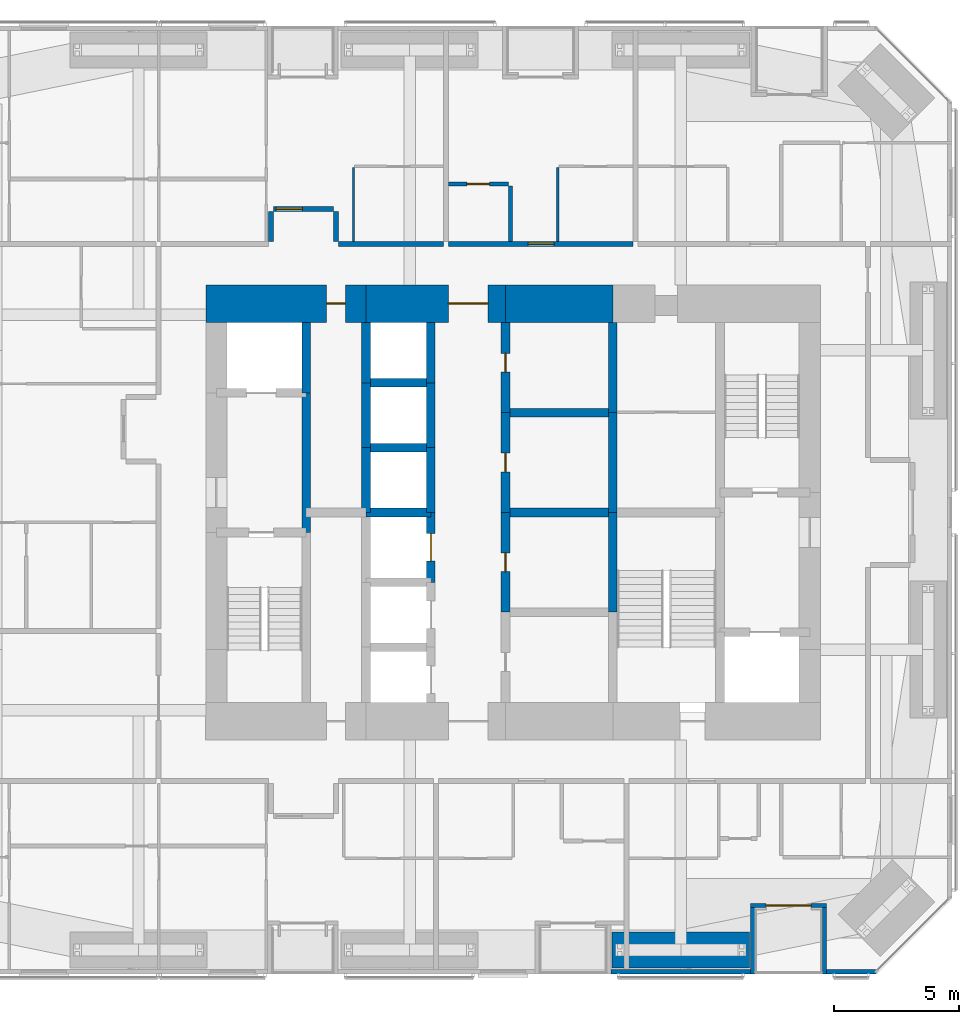
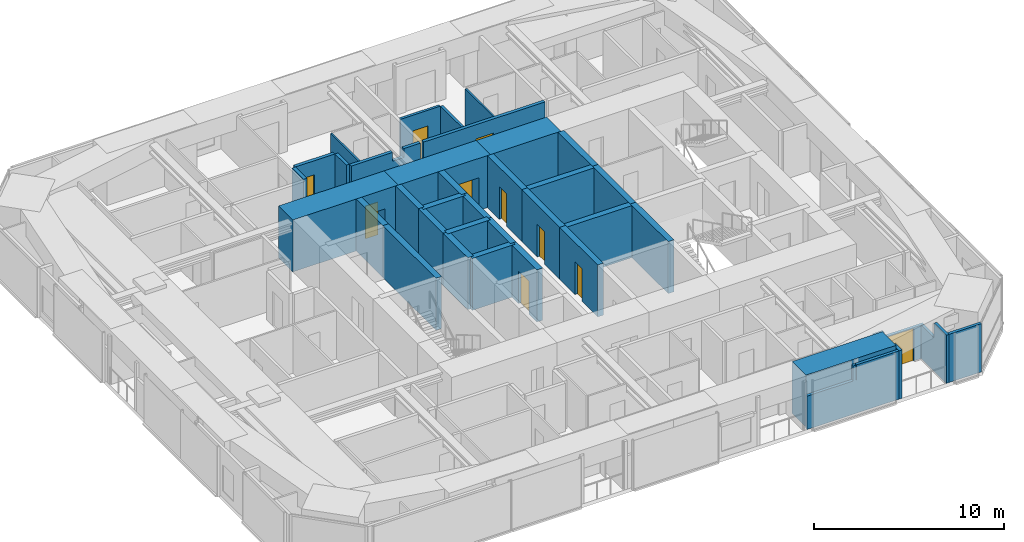
# One storey, part 20 of 25: 39 walls, 10 doors, 10 openings.
"""IFC4 building model written with IfcOpenShell, lengths in metres."""

from ifc_helpers import new_model, si_unit, direction, frame, frame_2d, origin, place, context, subcontext, project, spatial, polyline, rectangle, outline, extrude, material, layer, layer_set, constituent, constituent_set, type_object, element, fill, save


model = new_model("IFC4")

# Units and contexts
model_context = context("Model", 3, precision=1e-05, world=origin(), true_north=direction((0.0, 1.0)))
body_context = subcontext(model_context, "Body", "Model", "MODEL_VIEW")
ifc_project = project(units=[si_unit("LENGTHUNIT", "METRE"), si_unit("AREAUNIT", "SQUARE_METRE"), si_unit("VOLUMEUNIT", "CUBIC_METRE"), si_unit("PLANEANGLEUNIT", "RADIAN"), si_unit("MASSUNIT", "GRAM", prefix="KILO")], contexts=[model_context])

# Site, building, storey
site_placement = place(None, origin())
site = spatial("IfcSite", under=ifc_project, at=site_placement, CompositionType="ELEMENT")
building_placement = place(site_placement, origin())
building = spatial("IfcBuilding", under=site, at=building_placement, Name="Jalousie Tower", CompositionType="ELEMENT")
storey_placement = place(building_placement, frame((0.0, 0.0, 98.14990234375)))
storey = spatial("IfcBuildingStorey", under=building, at=storey_placement, Name="L26", CompositionType="ELEMENT", Elevation=98.14990234375)

# Wall, opening, door
ifc_material_1 = material(Name="Concrete block ASTM C90", Category="concrete")
ifc_constituent_1 = constituent(ifc_material_1, Name="Body")
ifc_material_2 = material(Name="Render")
ifc_constituent_2 = constituent(ifc_material_2, Name="Finish")
ifc_constituent_set_1 = constituent_set(constituents=[ifc_constituent_1, ifc_constituent_2])
wall_type_1 = type_object("IfcWallType", Name="BATHROOM WALL 150", PredefinedType="PLUMBINGWALL", material=ifc_constituent_set_1)
wall_1_placement = place(storey_placement, frame((29.300048828125, 31.675048828125, 0.0), z_axis=(0.0, 0.0, 1.0), x_axis=(1.0, 0.0, 0.0)))
wall_1 = element("IfcWall", 1, at=wall_1_placement, inside=storey, type_object=wall_type_1, Name="Bathroom Wall 150 L26", PredefinedType="PLUMBINGWALL", context=body_context, shape_type="SweptSolid", body=[
    extrude(rectangle(XDim=2.425048828125, YDim=0.14990234375, at=frame_2d((1.21240234375, 0.0))), origin(), (0.0, 0.0, 1.0), 3.110107421875),
])
opening_1_placement = place(wall_1_placement, frame((0.75, 0.0, 0.0)))
opening_1 = element("IfcOpeningElement", 2, at=opening_1_placement, cuts=wall_1, Name="Opening D3", PredefinedType="OPENING", context=body_context, shape_type="SweptSolid", body=[
    extrude(rectangle(XDim=0.89990234375, YDim=2.10009765625, at=frame_2d((0.449951171875, 1.050048828125))), frame((0.0, 0.0849609375, 0.0), z_axis=(0.0, -1.0, 0.0), x_axis=(1.0, 0.0, 0.0)), (0.0, 0.0, 1.0), 0.169921875),
])
ifc_material_3 = material(Name="Timber door", Category="wood")
door_type_1 = type_object("IfcDoorType", Name="BATHROOM DOOR 900", OperationType="SINGLE_SWING_LEFT", PredefinedType="DOOR", material=ifc_material_3)
door_1_placement = place(opening_1_placement, frame((0.89990234375, 0.0, 0.0), z_axis=(0.0, 0.0, 1.0), x_axis=(-1.0, 0.0, 0.0)))
door_1 = element("IfcDoor", 3, at=door_1_placement, inside=storey, type_object=door_type_1, Name="Apartment 2605 bathroom door", OperationType="SINGLE_SWING_RIGHT", OverallHeight=2.10009765625, OverallWidth=0.89990234375, PredefinedType="DOOR", context=body_context, shape_type="SweptSolid", body=[
    extrude(rectangle(XDim=0.89990234375, YDim=2.10009765625, at=frame_2d((0.449951171875, 1.050048828125))), frame((0.0, 0.02490234375, 0.0), z_axis=(0.0, -1.0, 0.0), x_axis=(1.0, 0.0, 0.0)), (0.0, 0.0, 1.0), 0.050048828125),
])
fill(opening_1, door_1)

# Walls
wall_2_placement = place(storey_placement, frame((31.800048828125, 31.60009765625, 0.0), z_axis=(0.0, 0.0, 1.0), x_axis=(0.0, -1.0, 0.0)))
element("IfcWall", 4, at=wall_2_placement, inside=storey, type_object=wall_type_1, Name="Bathroom Wall 150 L26", PredefinedType="PLUMBINGWALL", context=body_context, shape_type="SweptSolid", body=[
    extrude(rectangle(XDim=2.22509765625, YDim=0.14990234375, at=frame_2d((1.112548828125, 0.0))), origin(), (0.0, 0.0, 1.0), 3.110107421875),
])
ifc_material_4 = material(Name="Concrete f'c 120 MPa", Category="concrete")
ifc_layer_1 = layer(ifc_material_4, 1.5)
ifc_layer_set_1 = layer_set([ifc_layer_1], Name="Concrete f'c 120 MPa")
wall_type_2 = type_object("IfcWallType", Name="CORE WALL 1500", PredefinedType="SHEAR", material=ifc_layer_set_1)
wall_3_placement = place(storey_placement, frame((35.89990234375, 26.875, 0.0), z_axis=(0.0, 0.0, 1.0), x_axis=(-1.0, 0.0, 0.0)))
element("IfcWall", 5, at=wall_3_placement, inside=storey, type_object=wall_type_2, Name="Core wall NB L26", PredefinedType="SHEAR", context=body_context, shape_type="SweptSolid", body=[
    extrude(rectangle(XDim=4.2998046875, YDim=1.5, at=frame_2d((2.14990234375, 0.0))), origin(), (0.0, 0.0, 1.0), 3.35009765625),
])

# Wall, opening, door
wall_4_placement = place(storey_placement, frame((31.60009765625, 26.875, 0.0), z_axis=(0.0, 0.0, 1.0), x_axis=(-1.0, 0.0, 0.0)))
wall_4 = element("IfcWall", 6, at=wall_4_placement, inside=storey, type_object=wall_type_2, Name="Core wall NC L26", PredefinedType="SHEAR", context=body_context, shape_type="SweptSolid", body=[
    extrude(rectangle(XDim=5.60009765625, YDim=1.5, at=frame_2d((2.800048828125, 0.0))), origin(), (0.0, 0.0, 1.0), 3.35009765625),
])
opening_2_placement = place(wall_4_placement, frame((0.699951171875, 0.0, 0.0)))
opening_2 = element("IfcOpeningElement", 7, at=opening_2_placement, cuts=wall_4, Name="Opening D15", PredefinedType="OPENING", context=body_context, shape_type="SweptSolid", body=[
    extrude(rectangle(XDim=1.60009765625, YDim=2.10009765625, at=frame_2d((0.800048828125, 1.050048828125))), frame((0.0, 0.760009765625, 0.0), z_axis=(0.0, -1.0, 0.0), x_axis=(1.0, 0.0, 0.0)), (0.0, 0.0, 1.0), 1.52001953125),
])
ifc_material_5 = material(Name="Steel fire door", Category="steel")
door_type_2 = type_object("IfcDoorType", Name="LIFT LOBBY DOOR 1600", OperationType="DOUBLE_DOOR_SINGLE_SWING", PredefinedType="DOOR", material=ifc_material_5)
door_2_placement = place(opening_2_placement, origin())
door_2 = element("IfcDoor", 8, at=door_2_placement, inside=storey, type_object=door_type_2, Name="Lift lobby north door", OperationType="DOUBLE_DOOR_SINGLE_SWING", OverallHeight=2.10009765625, OverallWidth=1.60009765625, PredefinedType="DOOR", context=body_context, shape_type="SweptSolid", body=[
    extrude(rectangle(XDim=1.60009765625, YDim=2.10009765625, at=frame_2d((0.800048828125, 1.050048828125))), frame((0.0, 0.02490234375, 0.0), z_axis=(0.0, -1.0, 0.0), x_axis=(1.0, 0.0, 0.0)), (0.0, 0.0, 1.0), 0.050048828125),
])
fill(opening_2, door_2)

wall_5_placement = place(storey_placement, frame((26.0, 26.875, 0.0), z_axis=(0.0, 0.0, 1.0), x_axis=(-1.0, 0.0, 0.0)))
wall_5 = element("IfcWall", 9, at=wall_5_placement, inside=storey, type_object=wall_type_2, Name="Core wall ND L26", PredefinedType="SHEAR", context=body_context, shape_type="SweptSolid", body=[
    extrude(rectangle(XDim=6.425048828125, YDim=1.5, at=frame_2d((3.21240234375, 0.0))), origin(), (0.0, 0.0, 1.0), 3.35009765625),
])
opening_3_placement = place(wall_5_placement, frame((0.824951171875, 0.0, 0.0)))
opening_3 = element("IfcOpeningElement", 10, at=opening_3_placement, cuts=wall_5, Name="Opening D16", PredefinedType="OPENING", context=body_context, shape_type="SweptSolid", body=[
    extrude(rectangle(XDim=0.75, YDim=2.10009765625, at=frame_2d((0.375, 1.050048828125))), frame((0.0, 0.760009765625, 0.0), z_axis=(0.0, -1.0, 0.0), x_axis=(1.0, 0.0, 0.0)), (0.0, 0.0, 1.0), 1.52001953125),
])
ifc_material_6 = material(Name="Steel fire door", Category="steel")
door_type_3 = type_object("IfcDoorType", Name="RISER DOOR 750", OperationType="SINGLE_SWING_LEFT", PredefinedType="DOOR", material=ifc_material_6)
door_3_placement = place(opening_3_placement, origin())
door_3 = element("IfcDoor", 11, at=door_3_placement, inside=storey, type_object=door_type_3, Name="North riser door", OperationType="SINGLE_SWING_RIGHT", OverallHeight=2.10009765625, OverallWidth=0.75, PredefinedType="DOOR", context=body_context, shape_type="SweptSolid", body=[
    extrude(rectangle(XDim=0.75, YDim=2.10009765625, at=frame_2d((0.375, 1.050048828125))), frame((0.0, 0.02490234375, 0.0), z_axis=(0.0, -1.0, 0.0), x_axis=(1.0, 0.0, 0.0)), (0.0, 0.0, 1.0), 0.050048828125),
])
fill(opening_3, door_3)

# Walls
ifc_material_7 = material(Name="Concrete f'c 120 MPa", Category="concrete")
ifc_layer_2 = layer(ifc_material_7, 0.35009765625)
ifc_layer_set_2 = layer_set([ifc_layer_2], Name="Concrete f'c 120 MPa")
wall_type_3 = type_object("IfcWallType", Name="CORE WALL 350", PredefinedType="SHEAR", material=ifc_layer_set_2)
wall_6_placement = place(storey_placement, frame((23.60009765625, 17.699951171875, 0.0), z_axis=(0.0, 0.0, 1.0), x_axis=(0.0, 1.0, 0.0)))
element("IfcWall", 12, at=wall_6_placement, inside=storey, type_object=wall_type_3, Name="Core wall X23.6B L26", PredefinedType="SHEAR", context=body_context, shape_type="SweptSolid", body=[
    extrude(rectangle(XDim=5.60009765625, YDim=0.35009765625, at=frame_2d((2.800048828125, 0.0))), origin(), (0.0, 0.0, 1.0), 3.35009765625),
])
wall_7_placement = place(storey_placement, frame((23.60009765625, 23.300048828125, 0.0), z_axis=(0.0, 0.0, 1.0), x_axis=(0.0, 1.0, 0.0)))
element("IfcWall", 13, at=wall_7_placement, inside=storey, type_object=wall_type_3, Name="Core wall X23.6C L26", PredefinedType="SHEAR", context=body_context, shape_type="SweptSolid", body=[
    extrude(rectangle(XDim=2.824951171875, YDim=0.35009765625, at=frame_2d((1.41259765625, 0.0))), origin(), (0.0, 0.0, 1.0), 3.35009765625),
])
wall_8_placement = place(storey_placement, frame((26.0, 18.5, 0.0), z_axis=(0.0, 0.0, 1.0), x_axis=(0.0, 1.0, 0.0)))
element("IfcWall", 14, at=wall_8_placement, inside=storey, type_object=wall_type_3, Name="Core wall X26D L26", PredefinedType="SHEAR", context=body_context, shape_type="SweptSolid", body=[
    extrude(rectangle(XDim=2.60009765625, YDim=0.35009765625, at=frame_2d((1.300048828125, 0.0))), origin(), (0.0, 0.0, 1.0), 3.35009765625),
])
wall_9_placement = place(storey_placement, frame((26.0, 21.10009765625, 0.0), z_axis=(0.0, 0.0, 1.0), x_axis=(0.0, 1.0, 0.0)))
element("IfcWall", 15, at=wall_9_placement, inside=storey, type_object=wall_type_3, Name="Core wall X26E L26", PredefinedType="SHEAR", context=body_context, shape_type="SweptSolid", body=[
    extrude(rectangle(XDim=2.599853515625, YDim=0.35009765625, at=frame_2d((1.2998046875, 0.0))), origin(), (0.0, 0.0, 1.0), 3.35009765625),
])
wall_10_placement = place(storey_placement, frame((26.0, 23.699951171875, 0.0), z_axis=(0.0, 0.0, 1.0), x_axis=(0.0, 1.0, 0.0)))
element("IfcWall", 16, at=wall_10_placement, inside=storey, type_object=wall_type_3, Name="Core wall X26F L26", PredefinedType="SHEAR", context=body_context, shape_type="SweptSolid", body=[
    extrude(rectangle(XDim=2.425048828125, YDim=0.35009765625, at=frame_2d((1.21240234375, 0.0))), origin(), (0.0, 0.0, 1.0), 3.35009765625),
])

# Wall, opening, door
wall_11_placement = place(storey_placement, frame((28.60009765625, 15.699951171875, 0.0), z_axis=(0.0, 0.0, 1.0), x_axis=(0.0, 1.0, 0.0)))
wall_11 = element("IfcWall", 17, at=wall_11_placement, inside=storey, type_object=wall_type_3, Name="Core wall X28.6C L26", PredefinedType="SHEAR", context=body_context, shape_type="SweptSolid", body=[
    extrude(rectangle(XDim=2.800048828125, YDim=0.35009765625, at=frame_2d((1.39990234375, 0.0))), origin(), (0.0, 0.0, 1.0), 3.35009765625),
])
opening_4_placement = place(wall_11_placement, frame((0.85009765625, 0.0, 0.0)))
opening_4 = element("IfcOpeningElement", 18, at=opening_4_placement, cuts=wall_11, Name="Opening LD1", PredefinedType="OPENING", context=body_context, shape_type="SweptSolid", body=[
    extrude(rectangle(XDim=1.10009765625, YDim=2.10009765625, at=frame_2d((0.550048828125, 1.050048828125))), frame((0.0, 0.18505859375, 0.0), z_axis=(0.0, -1.0, 0.0), x_axis=(1.0, 0.0, 0.0)), (0.0, 0.0, 1.0), 0.3701171875),
])
ifc_material_8 = material(Name="Steel lift landing door", Category="steel")
door_type_4 = type_object("IfcDoorType", Name="LIFT LANDING DOOR 1100", OperationType="SLIDING_TO_LEFT", PredefinedType="DOOR", material=ifc_material_8)
door_4_placement = place(opening_4_placement, origin())
door_4 = element("IfcDoor", 19, at=door_4_placement, inside=storey, type_object=door_type_4, Name="Lift P3 landing door", OperationType="SLIDING_TO_LEFT", OverallHeight=2.10009765625, OverallWidth=1.10009765625, PredefinedType="DOOR", context=body_context, shape_type="SweptSolid", body=[
    extrude(rectangle(XDim=1.10009765625, YDim=2.10009765625, at=frame_2d((0.550048828125, 1.050048828125))), frame((0.0, 0.02490234375, 0.0), z_axis=(0.0, -1.0, 0.0), x_axis=(1.0, 0.0, 0.0)), (0.0, 0.0, 1.0), 0.050048828125),
])
fill(opening_4, door_4)

# Walls
wall_12_placement = place(storey_placement, frame((28.60009765625, 18.5, 0.0), z_axis=(0.0, 0.0, 1.0), x_axis=(0.0, 1.0, 0.0)))
element("IfcWall", 20, at=wall_12_placement, inside=storey, type_object=wall_type_3, Name="Core wall X28.6D L26", PredefinedType="SHEAR", context=body_context, shape_type="SweptSolid", body=[
    extrude(rectangle(XDim=2.60009765625, YDim=0.35009765625, at=frame_2d((1.300048828125, 0.0))), origin(), (0.0, 0.0, 1.0), 3.35009765625),
])
wall_13_placement = place(storey_placement, frame((28.60009765625, 21.10009765625, 0.0), z_axis=(0.0, 0.0, 1.0), x_axis=(0.0, 1.0, 0.0)))
element("IfcWall", 21, at=wall_13_placement, inside=storey, type_object=wall_type_3, Name="Core wall X28.6E L26", PredefinedType="SHEAR", context=body_context, shape_type="SweptSolid", body=[
    extrude(rectangle(XDim=2.599853515625, YDim=0.35009765625, at=frame_2d((1.2998046875, 0.0))), origin(), (0.0, 0.0, 1.0), 3.35009765625),
])
wall_14_placement = place(storey_placement, frame((28.60009765625, 23.699951171875, 0.0), z_axis=(0.0, 0.0, 1.0), x_axis=(0.0, 1.0, 0.0)))
element("IfcWall", 22, at=wall_14_placement, inside=storey, type_object=wall_type_3, Name="Core wall X28.6F L26", PredefinedType="SHEAR", context=body_context, shape_type="SweptSolid", body=[
    extrude(rectangle(XDim=2.425048828125, YDim=0.35009765625, at=frame_2d((1.21240234375, 0.0))), origin(), (0.0, 0.0, 1.0), 3.35009765625),
])

# Wall, opening, door
wall_15_placement = place(storey_placement, frame((31.60009765625, 14.5, 0.0), z_axis=(0.0, 0.0, 1.0), x_axis=(0.0, 1.0, 0.0)))
wall_15 = element("IfcWall", 23, at=wall_15_placement, inside=storey, type_object=wall_type_3, Name="Core wall X31.6B L26", PredefinedType="SHEAR", context=body_context, shape_type="SweptSolid", body=[
    extrude(rectangle(XDim=4.0, YDim=0.35009765625, at=frame_2d((2.0, 0.0))), origin(), (0.0, 0.0, 1.0), 3.35009765625),
])
opening_5_placement = place(wall_15_placement, frame((1.625, 0.0, 0.0)))
opening_5 = element("IfcOpeningElement", 24, at=opening_5_placement, cuts=wall_15, Name="Opening D16", PredefinedType="OPENING", context=body_context, shape_type="SweptSolid", body=[
    extrude(rectangle(XDim=0.75, YDim=2.10009765625, at=frame_2d((0.375, 1.050048828125))), frame((0.0, 0.18505859375, 0.0), z_axis=(0.0, -1.0, 0.0), x_axis=(1.0, 0.0, 0.0)), (0.0, 0.0, 1.0), 0.3701171875),
])
door_5_placement = place(opening_5_placement, frame((0.75, 0.0, 0.0), z_axis=(0.0, 0.0, 1.0), x_axis=(-1.0, 0.0, 0.0)))
door_5 = element("IfcDoor", 25, at=door_5_placement, inside=storey, type_object=door_type_3, Name="Electrical Room door", OperationType="SINGLE_SWING_RIGHT", OverallHeight=2.10009765625, OverallWidth=0.75, PredefinedType="DOOR", context=body_context, shape_type="SweptSolid", body=[
    extrude(rectangle(XDim=0.75, YDim=2.10009765625, at=frame_2d((0.375, 1.050048828125))), frame((0.0, 0.02490234375, 0.0), z_axis=(0.0, -1.0, 0.0), x_axis=(1.0, 0.0, 0.0)), (0.0, 0.0, 1.0), 0.050048828125),
])
fill(opening_5, door_5)

wall_16_placement = place(storey_placement, frame((31.60009765625, 18.5, 0.0), z_axis=(0.0, 0.0, 1.0), x_axis=(0.0, 1.0, 0.0)))
wall_16 = element("IfcWall", 26, at=wall_16_placement, inside=storey, type_object=wall_type_3, Name="Core wall X31.6C L26", PredefinedType="SHEAR", context=body_context, shape_type="SweptSolid", body=[
    extrude(rectangle(XDim=4.0, YDim=0.35009765625, at=frame_2d((2.0, 0.0))), origin(), (0.0, 0.0, 1.0), 3.35009765625),
])
opening_6_placement = place(wall_16_placement, frame((1.625, 0.0, 0.0)))
opening_6 = element("IfcOpeningElement", 27, at=opening_6_placement, cuts=wall_16, Name="Opening D16", PredefinedType="OPENING", context=body_context, shape_type="SweptSolid", body=[
    extrude(rectangle(XDim=0.75, YDim=2.10009765625, at=frame_2d((0.375, 1.050048828125))), frame((0.0, 0.18505859375, 0.0), z_axis=(0.0, -1.0, 0.0), x_axis=(1.0, 0.0, 0.0)), (0.0, 0.0, 1.0), 0.3701171875),
])
door_6_placement = place(opening_6_placement, frame((0.75, 0.0, 0.0), z_axis=(0.0, 0.0, 1.0), x_axis=(-1.0, 0.0, 0.0)))
door_6 = element("IfcDoor", 28, at=door_6_placement, inside=storey, type_object=door_type_3, Name="Telecom Room door", OperationType="SINGLE_SWING_RIGHT", OverallHeight=2.10009765625, OverallWidth=0.75, PredefinedType="DOOR", context=body_context, shape_type="SweptSolid", body=[
    extrude(rectangle(XDim=0.75, YDim=2.10009765625, at=frame_2d((0.375, 1.050048828125))), frame((0.0, 0.02490234375, 0.0), z_axis=(0.0, -1.0, 0.0), x_axis=(1.0, 0.0, 0.0)), (0.0, 0.0, 1.0), 0.050048828125),
])
fill(opening_6, door_6)

wall_17_placement = place(storey_placement, frame((31.60009765625, 22.5, 0.0), z_axis=(0.0, 0.0, 1.0), x_axis=(0.0, 1.0, 0.0)))
wall_17 = element("IfcWall", 29, at=wall_17_placement, inside=storey, type_object=wall_type_3, Name="Core wall X31.6D L26", PredefinedType="SHEAR", context=body_context, shape_type="SweptSolid", body=[
    extrude(rectangle(XDim=3.625, YDim=0.35009765625, at=frame_2d((1.8125, 0.0))), origin(), (0.0, 0.0, 1.0), 3.35009765625),
])
opening_7_placement = place(wall_17_placement, frame((1.625, 0.0, 0.0)))
opening_7 = element("IfcOpeningElement", 30, at=opening_7_placement, cuts=wall_17, Name="Opening D16", PredefinedType="OPENING", context=body_context, shape_type="SweptSolid", body=[
    extrude(rectangle(XDim=0.75, YDim=2.10009765625, at=frame_2d((0.375, 1.050048828125))), frame((0.0, 0.18505859375, 0.0), z_axis=(0.0, -1.0, 0.0), x_axis=(1.0, 0.0, 0.0)), (0.0, 0.0, 1.0), 0.3701171875),
])
door_7_placement = place(opening_7_placement, frame((0.75, 0.0, 0.0), z_axis=(0.0, 0.0, 1.0), x_axis=(-1.0, 0.0, 0.0)))
door_7 = element("IfcDoor", 31, at=door_7_placement, inside=storey, type_object=door_type_3, Name="Water Services Room door", OperationType="SINGLE_SWING_LEFT", OverallHeight=2.10009765625, OverallWidth=0.75, PredefinedType="DOOR", context=body_context, shape_type="SweptSolid", body=[
    extrude(rectangle(XDim=0.75, YDim=2.10009765625, at=frame_2d((0.375, 1.050048828125))), frame((0.0, 0.02490234375, 0.0), z_axis=(0.0, -1.0, 0.0), x_axis=(1.0, 0.0, 0.0)), (0.0, 0.0, 1.0), 0.050048828125),
])
fill(opening_7, door_7)

# Walls
for number, where, z_axis, x_axis, name in (
    (32, (35.89990234375, 14.5, 0.0), (0.0, 0.0, 1.0), (0.0, 1.0, 0.0), "Core wall X35.9B L26"),
    (33, (35.89990234375, 18.5, 0.0), (0.0, 0.0, 1.0), (0.0, 1.0, 0.0), "Core wall X35.9C L26"),
):
    element("IfcWall", number, at=place(storey_placement, frame(where, z_axis=z_axis, x_axis=x_axis)), inside=storey, type_object=wall_type_3, Name=name, PredefinedType="SHEAR", context=body_context, shape_type="SweptSolid", body=[
        extrude(rectangle(XDim=4.0, YDim=0.35009765625, at=frame_2d((2.0, 0.0))), origin(), (0.0, 0.0, 1.0), 3.35009765625),
    ])
wall_18_placement = place(storey_placement, frame((35.89990234375, 22.5, 0.0), z_axis=(0.0, 0.0, 1.0), x_axis=(0.0, 1.0, 0.0)))
element("IfcWall", 34, at=wall_18_placement, inside=storey, type_object=wall_type_3, Name="Core wall X35.9D L26", PredefinedType="SHEAR", context=body_context, shape_type="SweptSolid", body=[
    extrude(rectangle(XDim=3.625, YDim=0.35009765625, at=frame_2d((1.8125, 0.0))), origin(), (0.0, 0.0, 1.0), 3.35009765625),
])
for number, where, z_axis, x_axis, name in (
    (35, (26.0, 18.5, 0.0), (0.0, 0.0, 1.0), (1.0, 0.0, 0.0), "Core wall Y26-18.5 L26"),
    (36, (26.0, 21.10009765625, 0.0), (0.0, 0.0, 1.0), (1.0, 0.0, 0.0), "Core wall Y26-21.1 L26"),
    (37, (26.0, 23.699951171875, 0.0), (0.0, 0.0, 1.0), (1.0, 0.0, 0.0), "Core wall Y26-23.7 L26"),
):
    element("IfcWall", number, at=place(storey_placement, frame(where, z_axis=z_axis, x_axis=x_axis)), inside=storey, type_object=wall_type_3, Name=name, PredefinedType="SHEAR", context=body_context, shape_type="SweptSolid", body=[
        extrude(rectangle(XDim=2.60009765625, YDim=0.35009765625, at=frame_2d((1.300048828125, 0.0))), origin(), (0.0, 0.0, 1.0), 3.35009765625),
    ])
for number, where, z_axis, x_axis, name in (
    (38, (31.60009765625, 18.5, 0.0), (0.0, 0.0, 1.0), (1.0, 0.0, 0.0), "Core wall Y31.6-18.5 L26"),
    (39, (31.60009765625, 22.5, 0.0), (0.0, 0.0, 1.0), (1.0, 0.0, 0.0), "Core wall Y31.6-22.5 L26"),
):
    element("IfcWall", number, at=place(storey_placement, frame(where, z_axis=z_axis, x_axis=x_axis)), inside=storey, type_object=wall_type_3, Name=name, PredefinedType="SHEAR", context=body_context, shape_type="SweptSolid", body=[
        extrude(rectangle(XDim=4.2998046875, YDim=0.35009765625, at=frame_2d((2.14990234375, 0.0))), origin(), (0.0, 0.0, 1.0), 3.35009765625),
    ])

# Wall, opening, door
ifc_material_9 = material(Name="Concrete block ASTM C90", Category="concrete")
ifc_constituent_3 = constituent(ifc_material_9, Name="Body")
ifc_material_10 = material(Name="Render")
ifc_constituent_4 = constituent(ifc_material_10, Name="Finish")
ifc_constituent_set_2 = constituent_set(constituents=[ifc_constituent_3, ifc_constituent_4])
wall_type_4 = type_object("IfcWallType", Name="CORRIDOR WALL 200", PredefinedType="PARTITIONING", material=ifc_constituent_set_2)
wall_19_placement = place(storey_placement, frame((29.300048828125, 29.27490234375, 0.0), z_axis=(0.0, 0.0, 1.0), x_axis=(1.0, 0.0, 0.0)))
wall_19 = element("IfcWall", 40, at=wall_19_placement, inside=storey, type_object=wall_type_4, Name="Corridor Wall 200 L26", PredefinedType="PARTITIONING", context=body_context, shape_type="SweptSolid", body=[
    extrude(rectangle(XDim=7.39990234375, YDim=0.199951171875, at=frame_2d((3.699951171875, 0.0))), origin(), (0.0, 0.0, 1.0), 3.110107421875),
])
opening_8_placement = place(wall_19_placement, frame((3.199951171875, 0.0, 0.0)))
opening_8 = element("IfcOpeningElement", 41, at=opening_8_placement, cuts=wall_19, Name="Opening D1", PredefinedType="OPENING", context=body_context, shape_type="SweptSolid", body=[
    extrude(rectangle(XDim=1.050048828125, YDim=2.199951171875, at=frame_2d((0.52490234375, 1.10009765625))), frame((0.0, 0.10986328125, 0.0), z_axis=(0.0, -1.0, 0.0), x_axis=(1.0, 0.0, 0.0)), (0.0, 0.0, 1.0), 0.219970703125),
])
ifc_material_11 = material(Name="Timber fire door", Category="wood")
door_type_5 = type_object("IfcDoorType", Name="APARTMENT ENTRANCE DOOR 1050", OperationType="SINGLE_SWING_LEFT", PredefinedType="DOOR", material=ifc_material_11)
door_8_placement = place(opening_8_placement, origin())
door_8 = element("IfcDoor", 42, at=door_8_placement, inside=storey, type_object=door_type_5, Name="Apartment 2605 entrance", OperationType="SINGLE_SWING_RIGHT", OverallHeight=2.199951171875, OverallWidth=1.050048828125, PredefinedType="DOOR", context=body_context, shape_type="SweptSolid", body=[
    extrude(rectangle(XDim=1.050048828125, YDim=2.199951171875, at=frame_2d((0.52490234375, 1.10009765625))), frame((0.0, 0.02490234375, 0.0), z_axis=(0.0, -1.0, 0.0), x_axis=(1.0, 0.0, 0.0)), (0.0, 0.0, 1.0), 0.050048828125),
])
fill(opening_8, door_8)

# Wall
wall_20_placement = place(storey_placement, frame((24.89990234375, 29.27490234375, 0.0), z_axis=(0.0, 0.0, 1.0), x_axis=(1.0, 0.0, 0.0)))
element("IfcWall", 43, at=wall_20_placement, inside=storey, type_object=wall_type_4, Name="Corridor Wall 200 L26", PredefinedType="PARTITIONING", context=body_context, shape_type="SweptSolid", body=[
    extrude(outline(polyline([(0.0, 0.0), (4.2001953125, 0.0), (4.199951171875, 3.110107421875), (3.187255859375, 3.110107421875), (3.187255859375, 2.541015625), (2.5126953125, 2.541015625), (2.5126953125, 3.110107421875), (0.0, 3.110107421875), (0.0, 0.0)])), frame((0.0, 0.10009765625, 0.0), z_axis=(0.0, -1.0, 0.0), x_axis=(1.0, 0.0, 0.0)), (0.0, 0.0, 1.0), 0.199951171875),
])

# Wall, opening, door
wall_21_placement = place(storey_placement, frame((22.300048828125, 30.675048828125, 0.0), z_axis=(0.0, 0.0, 1.0), x_axis=(1.0, 0.0, 0.0)))
wall_21 = element("IfcWall", 44, at=wall_21_placement, inside=storey, type_object=wall_type_4, Name="Corridor Wall 200 L26", PredefinedType="PARTITIONING", context=body_context, shape_type="SweptSolid", body=[
    extrude(rectangle(XDim=2.39990234375, YDim=0.199951171875, at=frame_2d((1.199951171875, 0.0))), origin(), (0.0, 0.0, 1.0), 3.110107421875),
])
opening_9_placement = place(wall_21_placement, frame((0.10009765625, 0.0, 0.0)))
opening_9 = element("IfcOpeningElement", 45, at=opening_9_placement, cuts=wall_21, Name="Opening D1", PredefinedType="OPENING", context=body_context, shape_type="SweptSolid", body=[
    extrude(rectangle(XDim=1.050048828125, YDim=2.199951171875, at=frame_2d((0.52490234375, 1.10009765625))), frame((0.0, 0.10986328125, 0.0), z_axis=(0.0, -1.0, 0.0), x_axis=(1.0, 0.0, 0.0)), (0.0, 0.0, 1.0), 0.219970703125),
])
door_9_placement = place(opening_9_placement, origin())
door_9 = element("IfcDoor", 46, at=door_9_placement, inside=storey, type_object=door_type_5, Name="Apartment 2604 entrance", OperationType="SINGLE_SWING_LEFT", OverallHeight=2.199951171875, OverallWidth=1.050048828125, PredefinedType="DOOR", context=body_context, shape_type="SweptSolid", body=[
    extrude(rectangle(XDim=1.050048828125, YDim=2.199951171875, at=frame_2d((0.52490234375, 1.10009765625))), frame((0.0, 0.02490234375, 0.0), z_axis=(0.0, -1.0, 0.0), x_axis=(1.0, 0.0, 0.0)), (0.0, 0.0, 1.0), 0.050048828125),
])
fill(opening_9, door_9)

# Walls
for number, where, z_axis, x_axis, name in (
    (47, (22.199951171875, 29.375, 0.0), (0.0, 0.0, 1.0), (0.0, 1.0, 0.0), "Corridor Wall 200 L26"),
    (48, (24.800048828125, 29.375, 0.0), (0.0, 0.0, 1.0), (0.0, 1.0, 0.0), "Corridor Wall 200 L26"),
):
    element("IfcWall", number, at=place(storey_placement, frame(where, z_axis=z_axis, x_axis=x_axis)), inside=storey, type_object=wall_type_4, Name=name, PredefinedType="PARTITIONING", context=body_context, shape_type="SweptSolid", body=[
        extrude(rectangle(XDim=1.199951171875, YDim=0.199951171875, at=frame_2d((0.60009765625, 0.0))), origin(), (0.0, 0.0, 1.0), 3.110107421875),
    ])
ifc_material_12 = material(Name="Concrete f'c 40 MPa", Category="concrete")
ifc_constituent_5 = constituent(ifc_material_12, Name="Body")
ifc_material_13 = material(Name="Render, pastel sea green")
ifc_constituent_6 = constituent(ifc_material_13, Name="Finish")
ifc_constituent_set_3 = constituent_set(constituents=[ifc_constituent_5, ifc_constituent_6])
wall_type_5 = type_object("IfcWallType", Name="EXTERNAL WALL 175 SEA GREEN RENDER", PredefinedType="SOLIDWALL", material=ifc_constituent_set_3)
wall_22_placement = place(storey_placement, frame((35.824951171875, 0.08740234375, 0.0), z_axis=(0.0, 0.0, 1.0), x_axis=(1.0, 0.0, 0.0)))
element("IfcWall", 49, at=wall_22_placement, inside=storey, type_object=wall_type_5, Name="External Wall 175 Sea Green Render L26", PredefinedType="SOLIDWALL", context=body_context, shape_type="SweptSolid", body=[
    extrude(outline(polyline([(0.0, 0.0), (5.60009765625, 0.0), (5.60009765625, 3.110107421875), (3.00341796875, 3.110107421875), (3.00341796875, 2.150146484375), (2.9580078125, 2.150146484375), (2.9580078125, 3.110107421875), (2.800048828125, 3.110107421875), (2.800048828125, 2.150146484375), (0.0, 2.150146484375), (0.0, 0.0)])), frame((0.0, 0.08740234375, 0.0), z_axis=(0.0, -1.0, 0.0), x_axis=(1.0, 0.0, 0.0)), (0.0, 0.0, 1.0), 0.175048828125),
])
wall_23_placement = place(storey_placement, frame((44.47509765625, 0.08740234375, 0.0), z_axis=(0.0, 0.0, 1.0), x_axis=(1.0, 0.0, 0.0)))
element("IfcWall", 50, at=wall_23_placement, inside=storey, type_object=wall_type_5, Name="External Wall 175 Sea Green Render L26", PredefinedType="SOLIDWALL", context=body_context, shape_type="SweptSolid", body=[
    extrude(rectangle(XDim=1.9736328125, YDim=0.175048828125, at=frame_2d((0.98681640625, 0.0))), origin(), (0.0, 0.0, 1.0), 3.110107421875),
])
wall_24_placement = place(storey_placement, frame((41.425048828125, 2.737548828125, 0.0), z_axis=(0.0, 0.0, 1.0), x_axis=(1.0, 0.0, 0.0)))
element("IfcWall", 51, at=wall_24_placement, inside=storey, type_object=wall_type_5, Name="External Wall 175 Sea Green Render L26-A", PredefinedType="SOLIDWALL", context=body_context, shape_type="SweptSolid", body=[
    extrude(rectangle(XDim=0.625, YDim=0.175048828125, at=frame_2d((0.3125, 0.0))), origin(), (0.0, 0.0, 1.0), 2.510009765625),
])

# Wall, opening, door
wall_25_placement = place(storey_placement, frame((42.050048828125, 2.737548828125, 0.0), z_axis=(0.0, 0.0, 1.0), x_axis=(1.0, 0.0, 0.0)))
wall_25 = element("IfcWall", 52, at=wall_25_placement, inside=storey, type_object=wall_type_5, Name="External Wall 175 Sea Green Render L26-B", PredefinedType="SOLIDWALL", context=body_context, shape_type="SweptSolid", body=[
    extrude(rectangle(XDim=2.425048828125, YDim=0.175048828125, at=frame_2d((1.21240234375, 0.0))), origin(), (0.0, 0.0, 1.0), 2.150146484375),
])
opening_10_placement = place(wall_25_placement, origin())
opening_10 = element("IfcOpeningElement", 53, at=opening_10_placement, cuts=wall_25, Name="Opening D-BAL21", PredefinedType="OPENING", context=body_context, shape_type="SweptSolid", body=[
    extrude(rectangle(XDim=1.800048828125, YDim=2.10009765625, at=frame_2d((0.89990234375, 1.050048828125))), frame((0.0, 0.097412109375, 0.0), z_axis=(0.0, -1.0, 0.0), x_axis=(1.0, 0.0, 0.0)), (0.0, 0.0, 1.0), 0.195068359375),
])
ifc_material_14 = material(Name="Aluminium frame, impact-rated glazing", Category="aluminium")
door_type_6 = type_object("IfcDoorType", Name="BALCONY DOOR 1800x2100", OperationType="SLIDING_TO_LEFT", PredefinedType="DOOR", material=ifc_material_14)
door_10_placement = place(opening_10_placement, origin())
door_10 = element("IfcDoor", 54, at=door_10_placement, inside=storey, type_object=door_type_6, Name="Apartment 2603 living and dining room loggia door", OperationType="SLIDING_TO_LEFT", OverallHeight=2.10009765625, OverallWidth=1.800048828125, PredefinedType="DOOR", context=body_context, shape_type="SweptSolid", body=[
    extrude(rectangle(XDim=1.800048828125, YDim=2.10009765625, at=frame_2d((0.89990234375, 1.050048828125))), frame((0.0, 0.02490234375, 0.0), z_axis=(0.0, -1.0, 0.0), x_axis=(1.0, 0.0, 0.0)), (0.0, 0.0, 1.0), 0.050048828125),
])
fill(opening_10, door_10)

# Walls
wall_26_placement = place(storey_placement, frame((41.512451171875, 0.0, 0.0), z_axis=(0.0, 0.0, 1.0), x_axis=(0.0, 1.0, 0.0)))
element("IfcWall", 55, at=wall_26_placement, inside=storey, type_object=wall_type_5, Name="External Wall 175 Sea Green Render L26", PredefinedType="SOLIDWALL", context=body_context, shape_type="SweptSolid", body=[
    extrude(outline(polyline([(0.0, 0.0), (2.64990234375, 0.0), (2.64990234375, 2.510009765625), (2.373291015625, 2.510009765625), (2.373291015625, 2.150146484375), (0.70458984375, 2.150146484375), (0.70458984375, 3.110107421875), (0.0, 3.110107421875), (0.0, 0.0)])), frame((0.0, 0.08740234375, 0.0), z_axis=(0.0, -1.0, 0.0), x_axis=(1.0, 0.0, 0.0)), (0.0, 0.0, 1.0), 0.175048828125),
])
wall_27_placement = place(storey_placement, frame((44.387451171875, 0.0, 0.0), z_axis=(0.0, 0.0, 1.0), x_axis=(0.0, 1.0, 0.0)))
element("IfcWall", 56, at=wall_27_placement, inside=storey, type_object=wall_type_5, Name="External Wall 175 Sea Green Render L26", PredefinedType="SOLIDWALL", context=body_context, shape_type="SweptSolid", body=[
    extrude(outline(polyline([(0.0, 0.0), (2.64990234375, 0.0), (2.64990234375, 2.150146484375), (1.291015625, 2.150146484375), (1.291015625, 3.110107421875), (0.0, 3.110107421875), (0.0, 0.0)])), frame((0.0, 0.08740234375, 0.0), z_axis=(0.0, -1.0, 0.0), x_axis=(1.0, 0.0, 0.0)), (0.0, 0.0, 1.0), 0.175048828125),
])
ifc_material_15 = material(Name="Gypsum board", Category="gypsum")
ifc_constituent_7 = constituent(ifc_material_15, Name="Body")
ifc_material_16 = material(Name="Light-gauge steel studs ASTM A653 SS Grade 33", Category="steel")
ifc_constituent_8 = constituent(ifc_material_16, Name="Framing")
ifc_constituent_set_4 = constituent_set(constituents=[ifc_constituent_7, ifc_constituent_8])
wall_type_6 = type_object("IfcWallType", Name="PARTITION 100", PredefinedType="PARTITIONING", material=ifc_constituent_set_4)
for number, where, z_axis, x_axis, name in (
    (57, (25.5, 32.324951171875, 0.0), (0.0, 0.0, 1.0), (0.0, -1.0, 0.0), "Partition 100 L26"),
    (58, (33.699951171875, 32.324951171875, 0.0), (0.0, 0.0, 1.0), (0.0, -1.0, 0.0), "Partition 100 L26"),
):
    element("IfcWall", number, at=place(storey_placement, frame(where, z_axis=z_axis, x_axis=x_axis)), inside=storey, type_object=wall_type_6, Name=name, PredefinedType="PARTITIONING", context=body_context, shape_type="SweptSolid", body=[
        extrude(rectangle(XDim=2.949951171875, YDim=0.10009765625, at=frame_2d((1.47509765625, 0.0))), origin(), (0.0, 0.0, 1.0), 3.110107421875),
    ])
ifc_material_17 = material(Name="Concrete f'c 120 MPa", Category="concrete")
ifc_layer_3 = layer(ifc_material_17, 1.449951171875)
ifc_layer_set_3 = layer_set([ifc_layer_3], Name="Concrete f'c 120 MPa")
wall_type_7 = type_object("IfcWallType", Name="RC WALL PIER 1450", PredefinedType="SHEAR", material=ifc_layer_set_3)
wall_28_placement = place(storey_placement, frame((35.875, 0.949951171875, 0.0), z_axis=(0.0, 0.0, 1.0), x_axis=(1.0, 0.0, 0.0)))
element("IfcWall", 59, at=wall_28_placement, inside=storey, type_object=wall_type_7, Name="Wall pier 04 L26", PredefinedType="SHEAR", context=body_context, shape_type="SweptSolid", body=[
    extrude(rectangle(XDim=5.5, YDim=1.449951171875, at=frame_2d((2.75, 0.0))), origin(), (0.0, 0.0, 1.0), 3.35009765625),
])

save(model, "model.ifc")
